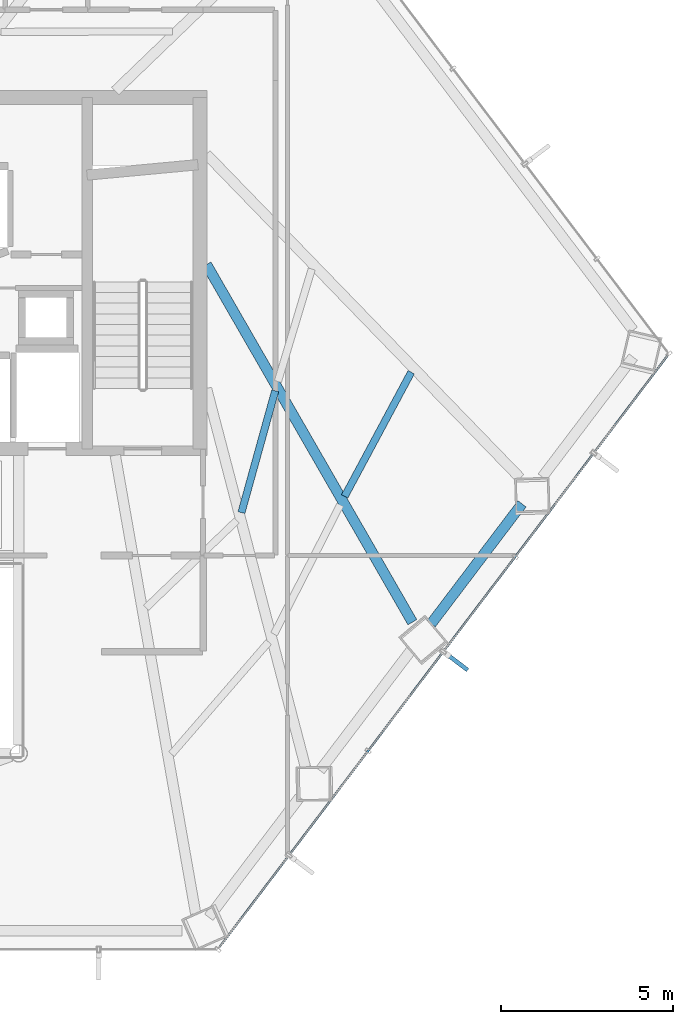
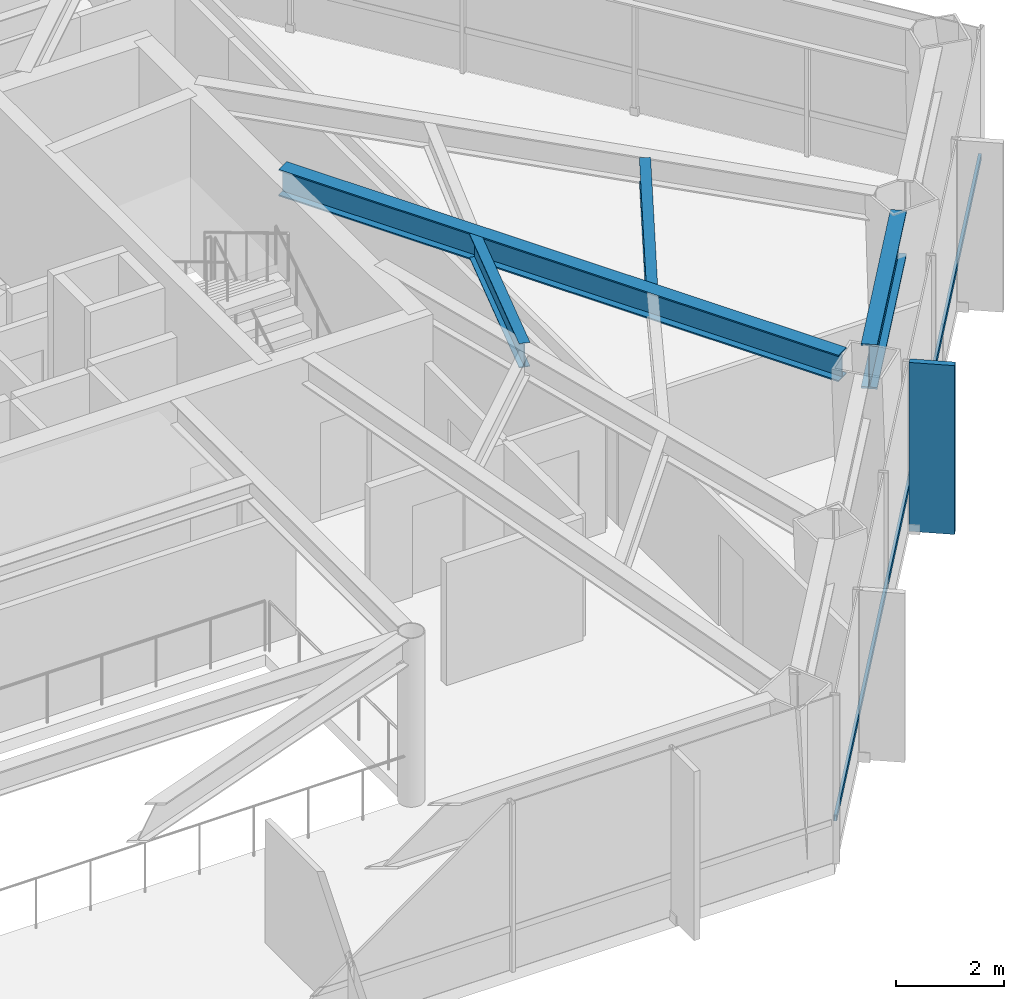
# One storey, part 15 of 24: 4 beams, 2 members, 1 element without a shape of its own.
"""IFC4 building model written with IfcOpenShell, lengths in metres."""

from ifc_helpers import new_model, si_unit, direction, frame, origin, origin_2d, place, context, subcontext, project, spatial, rectangle, hollow_rectangle, i_section, extrude, material, layer, layer_set, material_profile, profile_set, type_object, element, aggregate, save


model = new_model("IFC4")

# Units and contexts
model_context = context("Model", 3, precision=1e-05, world=origin(), true_north=direction((0.0, 1.0)))
body_context = subcontext(model_context, "Body", "Model", "MODEL_VIEW")
ifc_project = project(units=[si_unit("LENGTHUNIT", "METRE"), si_unit("AREAUNIT", "SQUARE_METRE"), si_unit("VOLUMEUNIT", "CUBIC_METRE"), si_unit("PLANEANGLEUNIT", "RADIAN"), si_unit("MASSUNIT", "GRAM", prefix="KILO")], contexts=[model_context])

# Site, building, storey
site_placement = place(None, origin())
site = spatial("IfcSite", under=ifc_project, at=site_placement, CompositionType="ELEMENT")
building_placement = place(site_placement, origin())
building = spatial("IfcBuilding", under=site, at=building_placement, Name="Zarrinselat Tower", CompositionType="ELEMENT")
storey_placement = place(building_placement, frame((0.0, 0.0, 68.340087890625)))
storey = spatial("IfcBuildingStorey", under=building, at=storey_placement, Name="L16", CompositionType="ELEMENT", Elevation=68.340087890625)

# Beams
ifc_material_1 = material(Name="Steel S355J2", Category="steel")
ifc_material_profile_1 = material_profile(ifc_material_1, i_section(OverallWidth=0.300048828125, OverallDepth=0.60009765625, WebThickness=0.015380859375, FlangeThickness=0.030029296875, at=origin_2d()), Name="HEB 600")
ifc_profile_set_1 = profile_set([ifc_material_profile_1], Name="Steel S355J2")
beam_type_1 = type_object("IfcBeamType", Name="BM-HEB600", PredefinedType="BEAM", material=ifc_profile_set_1)
beam_1_placement = place(storey_placement, frame((48.449951171875, 38.60009765625, 3.52001953125), z_axis=(0.498872181232, -0.866675571822, 0.0), x_axis=(0.866675571822, 0.498872181232, 0.0)))
element("IfcBeam", 1, at=beam_1_placement, inside=storey, type_object=beam_type_1, Name="L16 Radial Primary Girder RG13", PredefinedType="BEAM", context=body_context, shape_type="SweptSolid", body=[
    extrude(i_section(OverallWidth=0.300048828125, OverallDepth=0.60009765625, WebThickness=0.015380859375, FlangeThickness=0.030029296875, at=origin_2d()), origin(), (0.0, 0.0, 1.0), 11.984619140625),
])
ifc_material_2 = material(Name="Steel S460M", Category="steel")
ifc_material_profile_2 = material_profile(ifc_material_2, i_section(OverallWidth=0.302001953125, OverallDepth=1.008056640625, WebThickness=0.02099609375, FlangeThickness=0.0400390625, at=origin_2d()), Name="HEM 1000")
ifc_profile_set_2 = profile_set([ifc_material_profile_2], Name="Steel S460M")
beam_type_2 = type_object("IfcBeamType", Name="BM-HEM1000", PredefinedType="BEAM", material=ifc_profile_set_2)
beam_2_placement = place(storey_placement, frame((54.973876953125, 28.167236328125, 3.31591796875), z_axis=(0.60386306555, 0.797088074221, 0.0), x_axis=(-0.797088074221, 0.60386306555, 0.0)))
element("IfcBeam", 2, at=beam_2_placement, inside=storey, type_object=beam_type_2, Name="L16 Perimeter Spandrel Girder SP13", PredefinedType="BEAM", context=body_context, shape_type="SweptSolid", body=[
    extrude(i_section(OverallWidth=0.302001953125, OverallDepth=1.008056640625, WebThickness=0.02099609375, FlangeThickness=0.0400390625, at=origin_2d()), origin(), (0.0, 0.0, 1.0), 4.370361328125),
])
ifc_material_3 = material(Name="Steel S355J2", Category="steel")
ifc_material_profile_3 = material_profile(ifc_material_3, i_section(OverallWidth=0.2099609375, OverallDepth=0.550048828125, WebThickness=0.010986328125, FlangeThickness=0.01708984375, at=origin_2d()), Name="IPE 550")
ifc_profile_set_3 = profile_set([ifc_material_profile_3], Name="Steel S355J2")
beam_type_3 = type_object("IfcBeamType", Name="BM-IPE550", PredefinedType="JOIST", material=ifc_profile_set_3)
beam_3_placement = place(storey_placement, frame((49.464599609375, 31.395751953125, 3.544921875), z_axis=(0.26713278166, 0.963659730902, 0.0), x_axis=(-0.963659730902, 0.26713278166, 0.0)))
element("IfcBeam", 3, at=beam_3_placement, inside=storey, type_object=beam_type_3, Name="L16 Composite Floor Joist 4-2", PredefinedType="JOIST", context=body_context, shape_type="SweptSolid", body=[
    extrude(i_section(OverallWidth=0.2099609375, OverallDepth=0.550048828125, WebThickness=0.010986328125, FlangeThickness=0.01708984375, at=origin_2d()), origin(), (0.0, 0.0, 1.0), 3.671142578125),
])
beam_4_placement = place(storey_placement, frame((52.462158203125, 31.8681640625, 3.544921875), z_axis=(0.472647021113, 0.881251833152, 0.0), x_axis=(-0.881251833152, 0.472647021113, 0.0)))
element("IfcBeam", 4, at=beam_4_placement, inside=storey, type_object=beam_type_3, Name="L16 Composite Floor Joist 5-1", PredefinedType="JOIST", context=body_context, shape_type="SweptSolid", body=[
    extrude(i_section(OverallWidth=0.2099609375, OverallDepth=0.550048828125, WebThickness=0.010986328125, FlangeThickness=0.01708984375, at=origin_2d()), origin(), (0.0, 0.0, 1.0), 4.090576171875),
])

# Curtain wall, members
ifc_material_4 = material(Name="Extruded Aluminium Alloy EN AW-6063 T6", Category="aluminium")
ifc_layer = layer(ifc_material_4, 0.18505859375)
ifc_layer_set = layer_set([ifc_layer], Name="Extruded Aluminium Alloy EN AW-6063 T6")
curtain_wall_type = type_object("IfcCurtainWallType", Name="CWS-OFF", PredefinedType="NOTDEFINED", material=ifc_layer_set)
curtain_wall_placement = place(storey_placement, origin())
curtain_wall = element("IfcCurtainWall", 5, at=curtain_wall_placement, inside=storey, type_object=curtain_wall_type, Name="L16 Unitised Curtain Wall CW-L16-E04", PredefinedType="NOTDEFINED")
ifc_material_5 = material(Name="Extruded Aluminium Alloy EN AW-6063 T6", Category="aluminium")
ifc_material_profile_4 = material_profile(ifc_material_5, hollow_rectangle(XDim=0.06005859375, YDim=0.139892578125, WallThickness=0.00390625, at=origin_2d()), Name="RHS 140x60x4")
ifc_profile_set_4 = profile_set([ifc_material_profile_4], Name="Extruded Aluminium Alloy EN AW-6063 T6")
member_type_1 = type_object("IfcMemberType", Name="MEM-CW-TRN", PredefinedType="USERDEFINED", material=ifc_profile_set_4)
member_1_placement = place(storey_placement, frame((61.828369140625, 35.9365234375, 0.949951171875), z_axis=(-0.603861836876, -0.797089005046, 0.0), x_axis=(0.797089005046, -0.603861836876, 0.0)))
member_1 = element("IfcMember", 6, at=member_1_placement, type_object=member_type_1, Name="CW-L16-E04 Transom 1", ObjectType="TRANSOM", PredefinedType="USERDEFINED", context=body_context, shape_type="SweptSolid", body=[
    extrude(hollow_rectangle(XDim=0.06005859375, YDim=0.139892578125, WallThickness=0.00390625, at=origin_2d()), origin(), (0.0, 0.0, 1.0), 21.526123046875),
])
ifc_material_6 = material(Name="Honed Cream Travertine Stone", Category="masonry")
ifc_material_profile_5 = material_profile(ifc_material_6, rectangle(XDim=0.1201171875, YDim=0.85009765625, at=origin_2d()), Name="FIN 850x120")
ifc_profile_set_5 = profile_set([ifc_material_profile_5], Name="Honed Cream Travertine Stone")
member_type_2 = type_object("IfcMemberType", Name="MEM-STONE-FIN", PredefinedType="USERDEFINED", material=ifc_profile_set_5)
member_2_placement = place(storey_placement, frame((55.69580078125, 27.07958984375, 0.0), z_axis=(0.0, 0.0, 1.0), x_axis=(-0.603859195889, -0.797091005808, 0.0)))
member_2 = element("IfcMember", 7, at=member_2_placement, type_object=member_type_2, Name="L16 Stone Shading Fin CW-L16-E04-03", ObjectType="FIN", PredefinedType="USERDEFINED", context=body_context, shape_type="SweptSolid", body=[
    extrude(rectangle(XDim=0.1201171875, YDim=0.85009765625, at=origin_2d()), origin(), (0.0, 0.0, 1.0), 3.81982421875),
])
aggregate(curtain_wall, [member_2, member_1])

save(model, "model.ifc")
